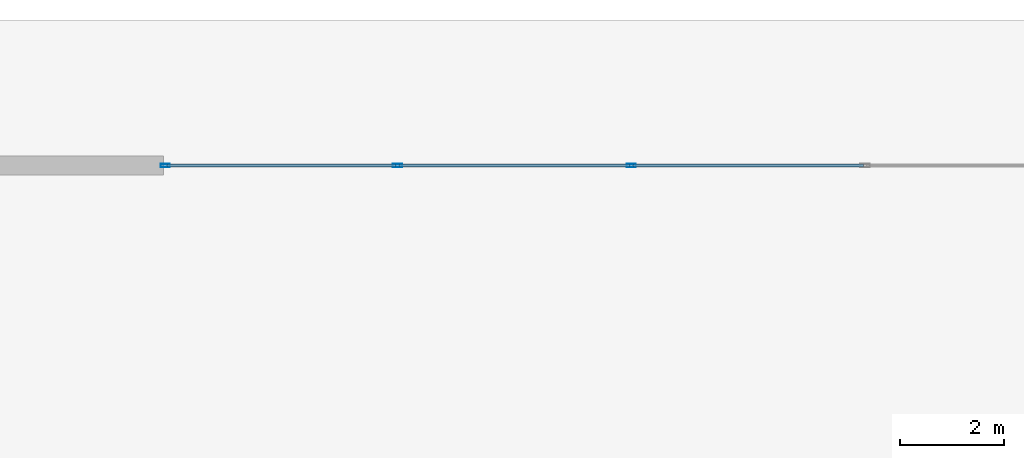
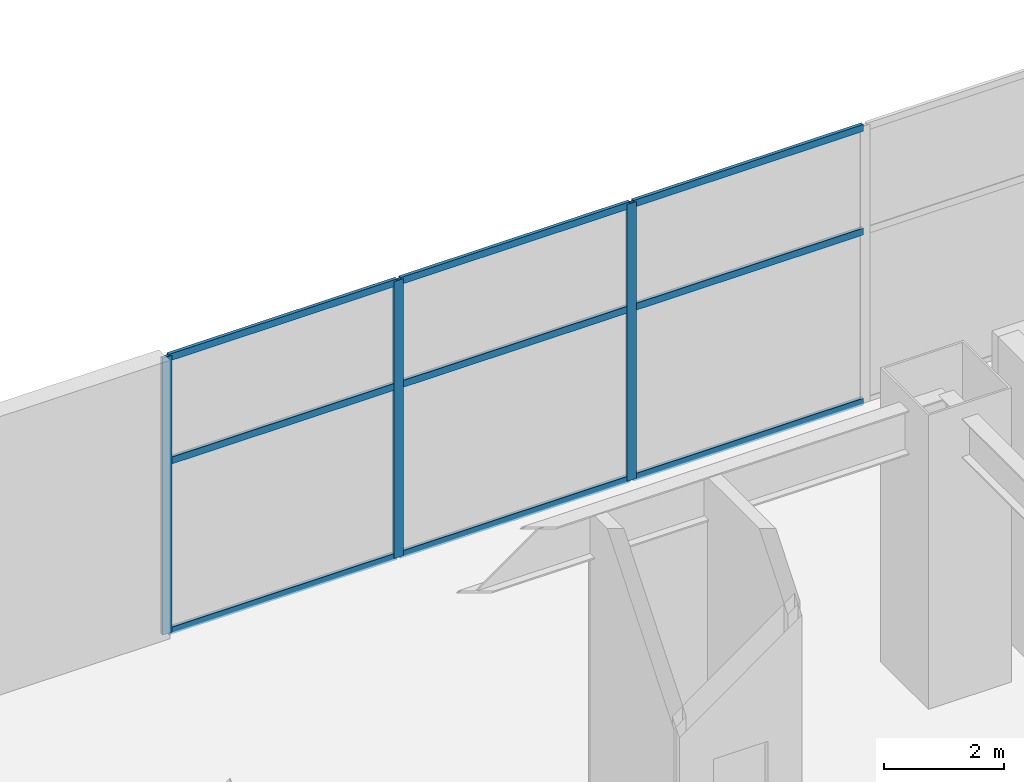
# One storey, part 8 of 30: 12 members, 1 element without a shape of its own.
"""IFC4 building model written with IfcOpenShell, lengths in metres."""

import ifcopenshell
import ifcopenshell.guid

model = None  # the IFC model being written
_history = None  # IfcOwnerHistory: only IFC2X3 demands one
_inside = {}  # id of a spatial element -> (the spatial element, [elements in it])
_under = {}  # id of a project, library or spatial element -> (it, [spatial elements below it])
_declared = {}  # id of a project -> (the project, [libraries it declares])
_typed = {}  # id of a type object -> (the type object, [elements of that type])
_made_of = {}  # id of a material, layer set ... -> (it, [elements and type objects made of it])


def new_model(schema):
    """Start an empty IFC model of exactly this schema.

    Asked for "IFC4X3", IfcOpenShell would pick the latest addendum, in which some entities
    have other attributes; the version numbers below select the first issue.
    IFC2X3 requires an IfcOwnerHistory on every rooted entity: one is made here for all.
    """
    global model, _history
    if schema == "IFC4X3":
        model = ifcopenshell.file(schema_version=(4, 3, 0, 0))
    else:
        model = ifcopenshell.file(schema=schema)
    _inside.clear()
    _under.clear()
    _declared.clear()
    _typed.clear()
    _made_of.clear()
    _history = None
    if model.schema == "IFC2X3":
        org = make("IfcOrganization", Name="unknown")
        user = make(
            "IfcPersonAndOrganization",
            ThePerson=make("IfcPerson", FamilyName="unknown"),
            TheOrganization=org,
        )
        app = make(
            "IfcApplication",
            ApplicationDeveloper=org,
            Version="unknown",
            ApplicationFullName="unknown",
            ApplicationIdentifier="unknown",
        )
        _history = make(
            "IfcOwnerHistory",
            OwningUser=user,
            OwningApplication=app,
            ChangeAction="ADDED",
            CreationDate=0,
        )
    return model


def make(cls, **values):
    """One entity of the class cls with the attributes given. An attribute that is None is left unset."""
    return model.create_entity(
        cls, **{name: value for name, value in values.items() if value is not None}
    )


def rooted(cls, **values):
    """An entity with a GlobalId (a new one), such as an element, a storey or a relation."""
    return make(cls, GlobalId=ifcopenshell.guid.new(), OwnerHistory=_history, **values)


def si_unit(unit_type, name, prefix=None):
    """IfcSIUnit, for example si_unit("LENGTHUNIT", "METRE", prefix="MILLI")."""
    return make("IfcSIUnit", UnitType=unit_type, Prefix=prefix, Name=name)


def assignment(units):
    """IfcUnitAssignment: the units of a project."""
    return None if units is None else make("IfcUnitAssignment", Units=units)


def point(xyz):
    """IfcCartesianPoint."""
    return None if xyz is None else make("IfcCartesianPoint", Coordinates=xyz)


def direction(xyz):
    """IfcDirection."""
    return None if xyz is None else make("IfcDirection", DirectionRatios=xyz)


def frame(location, z_axis=None, x_axis=None):
    """IfcAxis2Placement3D, a coordinate frame: its origin and axes. An axis left out is left unset."""
    return make(
        "IfcAxis2Placement3D",
        Location=point(location),
        Axis=direction(z_axis),
        RefDirection=direction(x_axis),
    )


def frame_2d(location, x_axis=None):
    """IfcAxis2Placement2D, a coordinate frame in the plane: its origin and x axis."""
    return make(
        "IfcAxis2Placement2D", Location=point(location), RefDirection=direction(x_axis)
    )


def origin():
    """The frame at (0, 0, 0) with its axes left unset."""
    return frame((0.0, 0.0, 0.0))


def origin_2d():
    """The frame at (0, 0) in the plane with its x axis left unset."""
    return frame_2d((0.0, 0.0))


def place(relative_to, where):
    """IfcLocalPlacement: puts the frame where relative to a parent placement (None: the world)."""
    return make(
        "IfcLocalPlacement", PlacementRelTo=relative_to, RelativePlacement=where
    )


def context(
    kind, dimensions, precision=None, world=None, true_north=None, identifier=None
):
    """IfcGeometricRepresentationContext, for example the 3D "Model" context."""
    return make(
        "IfcGeometricRepresentationContext",
        ContextIdentifier=identifier,
        ContextType=kind,
        CoordinateSpaceDimension=dimensions,
        Precision=precision,
        WorldCoordinateSystem=world,
        TrueNorth=true_north,
    )


def subcontext(parent, identifier, kind, view, scale=None):
    """IfcGeometricRepresentationSubContext, for example "Body" below "Model"."""
    return make(
        "IfcGeometricRepresentationSubContext",
        ContextIdentifier=identifier,
        ContextType=kind,
        ParentContext=parent,
        TargetScale=scale,
        TargetView=view,
    )


def project(units=None, contexts=None):
    """IfcProject with its units and contexts."""
    return rooted(
        "IfcProject",
        Name="project",
        RepresentationContexts=contexts,
        UnitsInContext=assignment(units),
    )


def spatial(cls, under=None, at=None, **own):
    """A site, building, storey or space (cls), placed at a placement, below another one or the project."""
    s = rooted(cls, ObjectPlacement=at, **own)
    if under is not None:
        _under.setdefault(under.id(), (under, []))[1].append(s)
    return s


def profile(cls, at=None, kind="AREA", **sizes):
    """A parametric profile (cls). Its sizes go by their IFC names, for example OverallWidth=200.0."""
    return make(cls, ProfileType=kind, Position=at, **sizes)


def hollow_rectangle(**sizes):
    """IfcRectangleHollowProfileDef."""
    return profile("IfcRectangleHollowProfileDef", **sizes)


def extrude(swept, where, along, depth):
    """IfcExtrudedAreaSolid: the profile swept, set in the frame where, extruded along a direction by depth."""
    return make(
        "IfcExtrudedAreaSolid",
        SweptArea=swept,
        Position=where,
        ExtrudedDirection=direction(along),
        Depth=depth,
    )


def shape(context_of_items, identifier, shape_type, items):
    """IfcShapeRepresentation: the items that make up one representation, for example the "Body"."""
    return make(
        "IfcShapeRepresentation",
        ContextOfItems=context_of_items,
        RepresentationIdentifier=identifier,
        RepresentationType=shape_type,
        Items=items,
    )


def material(Name=None, Category=None):
    """IfcMaterial."""
    return make("IfcMaterial", Name=Name, Category=Category)


def layer(
    of_material, thickness, ventilated=None, Name=None, Category=None, Priority=None
):
    """IfcMaterialLayer: one layer of a wall or slab, of a material (None: an air gap)."""
    return make(
        "IfcMaterialLayer",
        Material=of_material,
        LayerThickness=thickness,
        IsVentilated=ventilated,
        Name=Name,
        Category=Category,
        Priority=Priority,
    )


def layer_set(layers, Name=None):
    """IfcMaterialLayerSet."""
    return make("IfcMaterialLayerSet", MaterialLayers=layers, LayerSetName=Name)


def material_profile(
    of_material, cross_section, Name=None, Category=None, Priority=None
):
    """IfcMaterialProfile: a cross section and its material."""
    return make(
        "IfcMaterialProfile",
        Name=Name,
        Material=of_material,
        Profile=cross_section,
        Priority=Priority,
        Category=Category,
    )


def profile_set(profiles, Name=None, composite=None):
    """IfcMaterialProfileSet."""
    return make(
        "IfcMaterialProfileSet",
        Name=Name,
        MaterialProfiles=profiles,
        CompositeProfile=composite,
    )


def made_of(thing, what):
    """Note that an element or type object is made of a material, layer set ...; save() writes the relation."""
    if what is not None:
        _made_of.setdefault(what.id(), (what, []))[1].append(thing)
    return thing


def type_object(cls, material=None, **own):
    """A type object (cls), such as IfcWallType, which elements share."""
    return made_of(rooted(cls, **own), material)


def element(
    cls,
    number,
    at=None,
    inside=None,
    cuts=None,
    type_object=None,
    material=None,
    context=None,
    identifier="Body",
    shape_type=None,
    held_by="IfcProductDefinitionShape",
    body=None,
    shapes=None,
    **own,
):
    """One element of the class cls, such as IfcWall. Its Tag is "e" and its number.

    at: its placement. inside: the storey or other place that contains it. cuts: it is an
    opening in that element (IfcRelVoidsElement). A single representation is given by context,
    identifier, shape_type and body (its items); several are given by shapes. held_by: the class
    of the entity that holds the representations. save() writes the other relations.
    """
    e = rooted(cls, Tag="e%d" % number, ObjectPlacement=at, **own)
    if body is not None:
        shapes = [shape(context, identifier, shape_type, body)]
    if shapes is not None:
        e.Representation = make(held_by, Representations=shapes)
    if inside is not None:
        _inside.setdefault(inside.id(), (inside, []))[1].append(e)
    if cuts is not None:
        rooted(
            "IfcRelVoidsElement", RelatingBuildingElement=cuts, RelatedOpeningElement=e
        )
    if type_object is not None:
        _typed.setdefault(type_object.id(), (type_object, []))[1].append(e)
    return made_of(e, material)


def aggregate(whole, parts):
    """IfcRelAggregates: a whole, such as a stair, and the parts it consists of."""
    return rooted("IfcRelAggregates", RelatingObject=whole, RelatedObjects=parts)


def save(model, path):
    """Write the relations noted so far, then the file.

    IfcRelAggregates (storeys below a building ...), IfcRelContainedInSpatialStructure (elements
    in a storey), IfcRelDefinesByType, IfcRelAssociatesMaterial and IfcRelDeclares: one each for
    every whole, place, type object, material and project.
    """
    for whole, parts in _under.values():
        aggregate(whole, parts)
    for where, things in _inside.values():
        rooted(
            "IfcRelContainedInSpatialStructure",
            RelatedElements=things,
            RelatingStructure=where,
        )
    for kind, things in _typed.values():
        rooted("IfcRelDefinesByType", RelatedObjects=things, RelatingType=kind)
    for what, things in _made_of.values():
        rooted("IfcRelAssociatesMaterial", RelatedObjects=things, RelatingMaterial=what)
    for by, libraries in _declared.values():
        rooted("IfcRelDeclares", RelatingContext=by, RelatedDefinitions=libraries)
    model.write(path)


model = new_model("IFC4")

# Units and contexts
model_context = context("Model", 3, precision=1e-05, world=origin(), true_north=direction((0.0, 1.0)))
body_context = subcontext(model_context, "Body", "Model", "MODEL_VIEW")
ifc_project = project(units=[si_unit("LENGTHUNIT", "METRE"), si_unit("AREAUNIT", "SQUARE_METRE"), si_unit("VOLUMEUNIT", "CUBIC_METRE"), si_unit("PLANEANGLEUNIT", "RADIAN"), si_unit("MASSUNIT", "GRAM", prefix="KILO")], contexts=[model_context])

# Site, building, storey
site_placement = place(None, origin())
site = spatial("IfcSite", under=ifc_project, at=site_placement, CompositionType="ELEMENT")
building_placement = place(site_placement, origin())
building = spatial("IfcBuilding", under=site, at=building_placement, Name="Haevon Station Towers", CompositionType="ELEMENT")
storey_placement = place(building_placement, origin())
storey = spatial("IfcBuildingStorey", under=building, at=storey_placement, Name="L00", CompositionType="ELEMENT", Elevation=0.0)

# Curtain wall, members
ifc_material_1 = material(Name="Anodised aluminium and Low-E double glazing", Category="aluminium")
ifc_layer = layer(ifc_material_1, 0.179931640625)
ifc_layer_set = layer_set([ifc_layer], Name="Anodised aluminium and Low-E double glazing")
curtain_wall_type = type_object("IfcCurtainWallType", Name="CW-SYS1", PredefinedType="NOTDEFINED", material=ifc_layer_set)
curtain_wall_placement = place(storey_placement, origin())
curtain_wall = element("IfcCurtainWall", 1, at=curtain_wall_placement, inside=storey, type_object=curtain_wall_type, Name="L00 Curtain Wall CW-POD-L00-N1", PredefinedType="NOTDEFINED")
ifc_material_2 = material(Name="Anodised aluminium 6063-T6", Category="aluminium")
ifc_material_profile_1 = material_profile(ifc_material_2, hollow_rectangle(XDim=0.06494140625, YDim=0.179931640625, WallThickness=0.00390625, at=origin_2d()), Name="CWM-180x65x4")
ifc_profile_set_1 = profile_set([ifc_material_profile_1], Name="Anodised aluminium 6063-T6")
member_type_1 = type_object("IfcMemberType", Name="CWM-180", PredefinedType="MULLION", material=ifc_profile_set_1)
member_1_placement = place(storey_placement, frame((54.032470703125, 55.5, 0.0), z_axis=(0.0, 0.0, 1.0), x_axis=(0.0, 1.0, 0.0)))
member_1 = element("IfcMember", 2, at=member_1_placement, type_object=member_type_1, Name="CW-SYS1 mullion 1", PredefinedType="MULLION", context=body_context, shape_type="SweptSolid", body=[
    extrude(hollow_rectangle(XDim=0.06494140625, YDim=0.179931640625, WallThickness=0.00390625, at=origin_2d()), origin(), (0.0, 0.0, 1.0), 5.64990234375),
])
member_2_placement = place(storey_placement, frame((58.5, 55.5, 0.0), z_axis=(0.0, 0.0, 1.0), x_axis=(0.0, 1.0, 0.0)))
member_2 = element("IfcMember", 3, at=member_2_placement, type_object=member_type_1, Name="CW-SYS1 mullion 2", PredefinedType="MULLION", context=body_context, shape_type="SweptSolid", body=[
    extrude(hollow_rectangle(XDim=0.06494140625, YDim=0.179931640625, WallThickness=0.00390625, at=origin_2d()), origin(), (0.0, 0.0, 1.0), 5.64990234375),
])
member_3_placement = place(storey_placement, frame((63.0, 55.5, 0.0), z_axis=(0.0, 0.0, 1.0), x_axis=(0.0, 1.0, 0.0)))
member_3 = element("IfcMember", 4, at=member_3_placement, type_object=member_type_1, Name="CW-SYS1 mullion 3", PredefinedType="MULLION", context=body_context, shape_type="SweptSolid", body=[
    extrude(hollow_rectangle(XDim=0.06494140625, YDim=0.179931640625, WallThickness=0.00390625, at=origin_2d()), origin(), (0.0, 0.0, 1.0), 5.64990234375),
])
ifc_material_profile_2 = material_profile(ifc_material_2, hollow_rectangle(XDim=0.06494140625, YDim=0.139892578125, WallThickness=0.00341796875, at=origin_2d()), Name="CWT-140x65x3.5")
ifc_profile_set_2 = profile_set([ifc_material_profile_2], Name="Anodised aluminium 6063-T6")
member_type_2 = type_object("IfcMemberType", Name="CWT-140", PredefinedType="USERDEFINED", material=ifc_profile_set_2)
member_4_placement = place(storey_placement, frame((54.06494140625, 55.5, 0.032470703125), z_axis=(1.0, 0.0, 0.0), x_axis=(0.0, 1.0, 0.0)))
member_4 = element("IfcMember", 5, at=member_4_placement, type_object=member_type_2, Name="CW-SYS1 transom 1.1", ObjectType="TRANSOM", PredefinedType="USERDEFINED", context=body_context, shape_type="SweptSolid", body=[
    extrude(hollow_rectangle(XDim=0.06494140625, YDim=0.139892578125, WallThickness=0.00341796875, at=origin_2d()), origin(), (0.0, 0.0, 1.0), 4.402587890625),
])
member_5_placement = place(storey_placement, frame((54.06494140625, 55.5, 3.5029296875), z_axis=(1.0, 0.0, 0.0), x_axis=(0.0, 1.0, 0.0)))
member_5 = element("IfcMember", 6, at=member_5_placement, type_object=member_type_2, Name="CW-SYS1 transom 1.2", ObjectType="TRANSOM", PredefinedType="USERDEFINED", context=body_context, shape_type="SweptSolid", body=[
    extrude(hollow_rectangle(XDim=0.06494140625, YDim=0.139892578125, WallThickness=0.00341796875, at=origin_2d()), origin(), (0.0, 0.0, 1.0), 4.402587890625),
])
member_6_placement = place(storey_placement, frame((54.06494140625, 55.5, 5.617431640625), z_axis=(1.0, 0.0, 0.0), x_axis=(0.0, 1.0, 0.0)))
member_6 = element("IfcMember", 7, at=member_6_placement, type_object=member_type_2, Name="CW-SYS1 transom 1.3", ObjectType="TRANSOM", PredefinedType="USERDEFINED", context=body_context, shape_type="SweptSolid", body=[
    extrude(hollow_rectangle(XDim=0.06494140625, YDim=0.139892578125, WallThickness=0.00341796875, at=origin_2d()), origin(), (0.0, 0.0, 1.0), 4.402587890625),
])
member_7_placement = place(storey_placement, frame((58.532470703125, 55.5, 0.032470703125), z_axis=(1.0, 0.0, 0.0), x_axis=(0.0, 1.0, 0.0)))
member_7 = element("IfcMember", 8, at=member_7_placement, type_object=member_type_2, Name="CW-SYS1 transom 2.1", ObjectType="TRANSOM", PredefinedType="USERDEFINED", context=body_context, shape_type="SweptSolid", body=[
    extrude(hollow_rectangle(XDim=0.06494140625, YDim=0.139892578125, WallThickness=0.00341796875, at=origin_2d()), origin(), (0.0, 0.0, 1.0), 4.43505859375),
])
member_8_placement = place(storey_placement, frame((58.532470703125, 55.5, 3.5029296875), z_axis=(1.0, 0.0, 0.0), x_axis=(0.0, 1.0, 0.0)))
member_8 = element("IfcMember", 9, at=member_8_placement, type_object=member_type_2, Name="CW-SYS1 transom 2.2", ObjectType="TRANSOM", PredefinedType="USERDEFINED", context=body_context, shape_type="SweptSolid", body=[
    extrude(hollow_rectangle(XDim=0.06494140625, YDim=0.139892578125, WallThickness=0.00341796875, at=origin_2d()), origin(), (0.0, 0.0, 1.0), 4.43505859375),
])
member_9_placement = place(storey_placement, frame((58.532470703125, 55.5, 5.617431640625), z_axis=(1.0, 0.0, 0.0), x_axis=(0.0, 1.0, 0.0)))
member_9 = element("IfcMember", 10, at=member_9_placement, type_object=member_type_2, Name="CW-SYS1 transom 2.3", ObjectType="TRANSOM", PredefinedType="USERDEFINED", context=body_context, shape_type="SweptSolid", body=[
    extrude(hollow_rectangle(XDim=0.06494140625, YDim=0.139892578125, WallThickness=0.00341796875, at=origin_2d()), origin(), (0.0, 0.0, 1.0), 4.43505859375),
])
member_10_placement = place(storey_placement, frame((63.032470703125, 55.5, 0.032470703125), z_axis=(1.0, 0.0, 0.0), x_axis=(0.0, 1.0, 0.0)))
member_10 = element("IfcMember", 11, at=member_10_placement, type_object=member_type_2, Name="CW-SYS1 transom 3.1", ObjectType="TRANSOM", PredefinedType="USERDEFINED", context=body_context, shape_type="SweptSolid", body=[
    extrude(hollow_rectangle(XDim=0.06494140625, YDim=0.139892578125, WallThickness=0.00341796875, at=origin_2d()), origin(), (0.0, 0.0, 1.0), 4.43505859375),
])
member_11_placement = place(storey_placement, frame((63.032470703125, 55.5, 3.5029296875), z_axis=(1.0, 0.0, 0.0), x_axis=(0.0, 1.0, 0.0)))
member_11 = element("IfcMember", 12, at=member_11_placement, type_object=member_type_2, Name="CW-SYS1 transom 3.2", ObjectType="TRANSOM", PredefinedType="USERDEFINED", context=body_context, shape_type="SweptSolid", body=[
    extrude(hollow_rectangle(XDim=0.06494140625, YDim=0.139892578125, WallThickness=0.00341796875, at=origin_2d()), origin(), (0.0, 0.0, 1.0), 4.43505859375),
])
member_12_placement = place(storey_placement, frame((63.032470703125, 55.5, 5.617431640625), z_axis=(1.0, 0.0, 0.0), x_axis=(0.0, 1.0, 0.0)))
member_12 = element("IfcMember", 13, at=member_12_placement, type_object=member_type_2, Name="CW-SYS1 transom 3.3", ObjectType="TRANSOM", PredefinedType="USERDEFINED", context=body_context, shape_type="SweptSolid", body=[
    extrude(hollow_rectangle(XDim=0.06494140625, YDim=0.139892578125, WallThickness=0.00341796875, at=origin_2d()), origin(), (0.0, 0.0, 1.0), 4.43505859375),
])
aggregate(curtain_wall, [member_1, member_2, member_3, member_4, member_5, member_6, member_7, member_8, member_9, member_10, member_11, member_12])

save(model, "model.ifc")
